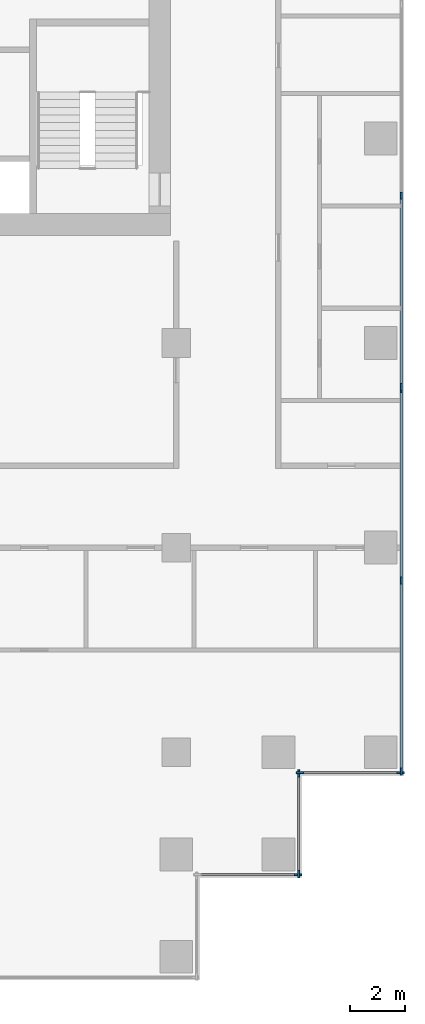
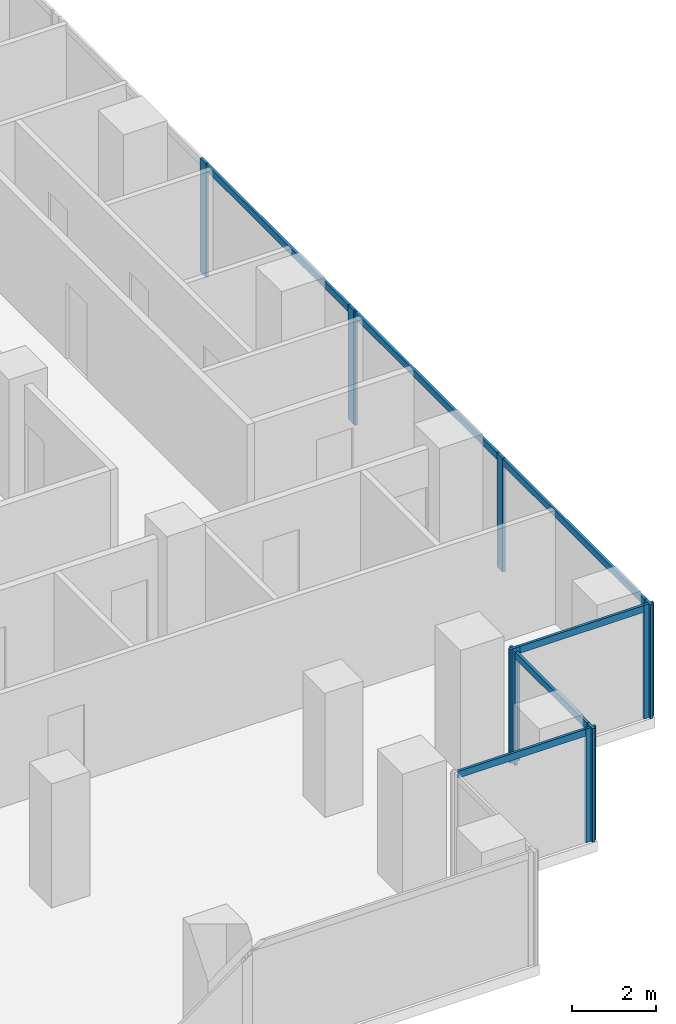
# One storey, part 3 of 10: 16 members, 5 elements without a shape of their own.
"""IFC4 building model written with IfcOpenShell, lengths in metres."""

from ifc_helpers import new_model, si_unit, direction, frame, origin, origin_2d, place, context, subcontext, project, spatial, rectangle, extrude, material, material_profile, profile_set, type_object, element, aggregate, save


model = new_model("IFC4")

# Units and contexts
model_context = context("Model", 3, precision=1e-05, world=origin(), true_north=direction((0.0, 1.0)))
body_context = subcontext(model_context, "Body", "Model", "MODEL_VIEW")
ifc_project = project(units=[si_unit("LENGTHUNIT", "METRE"), si_unit("AREAUNIT", "SQUARE_METRE"), si_unit("VOLUMEUNIT", "CUBIC_METRE"), si_unit("PLANEANGLEUNIT", "RADIAN"), si_unit("MASSUNIT", "GRAM", prefix="KILO")], contexts=[model_context])

# Site, building, storey
site_placement = place(None, origin())
site = spatial("IfcSite", under=ifc_project, at=site_placement, CompositionType="ELEMENT")
building_placement = place(site_placement, origin())
building = spatial("IfcBuilding", under=site, at=building_placement, Name="Pilkhan Gate Tower", CompositionType="ELEMENT")
storey_placement = place(building_placement, frame((0.0, 0.0, 158.5)))
storey = spatial("IfcBuildingStorey", under=building, at=storey_placement, Name="L40", CompositionType="ELEMENT", Elevation=158.5)

# Curtain wall, members
ifc_material_1 = material(Name="Pale anodised aluminium, clear low-iron double glazing", Category="aluminium")
curtain_wall_type = type_object("IfcCurtainWallType", Name="Office unitised curtain wall CW-O1", PredefinedType="USERDEFINED", material=ifc_material_1)
curtain_wall_1_placement = place(storey_placement, origin())
curtain_wall_1 = element("IfcCurtainWall", 1, at=curtain_wall_1_placement, inside=storey, type_object=curtain_wall_type, Name="Office unitised curtain wall CW-O1 L40 E", ObjectType="UNITISED CURTAIN WALL", PredefinedType="USERDEFINED")
ifc_material_2 = material(Name="Pale anodised aluminium", Category="aluminium")
ifc_material_profile_1 = material_profile(ifc_material_2, rectangle(XDim=0.070068359375, YDim=0.27490234375, at=origin_2d()), Name="Mullion 275x70")
ifc_profile_set_1 = profile_set([ifc_material_profile_1], Name="Pale anodised aluminium")
member_type_1 = type_object("IfcMemberType", Name="Mullion CW-O1 275x70", PredefinedType="MULLION", material=ifc_profile_set_1)
member_1_placement = place(storey_placement, frame((98.25, 51.784912109375, 0.0), z_axis=(0.0, 0.0, 1.0), x_axis=(-1.0, 0.0, 0.0)))
member_1 = element("IfcMember", 2, at=member_1_placement, type_object=member_type_1, Name="CW-O1 mullion 1", PredefinedType="MULLION", context=body_context, shape_type="SweptSolid", body=[
    extrude(rectangle(XDim=0.070068359375, YDim=0.27490234375, at=origin_2d()), origin(), (0.0, 0.0, 1.0), 3.300048828125),
])
member_2_placement = place(storey_placement, frame((98.25, 58.800048828125, 0.0), z_axis=(0.0, 0.0, 1.0), x_axis=(-1.0, 0.0, 0.0)))
member_2 = element("IfcMember", 3, at=member_2_placement, type_object=member_type_1, Name="CW-O1 mullion 2", PredefinedType="MULLION", context=body_context, shape_type="SweptSolid", body=[
    extrude(rectangle(XDim=0.070068359375, YDim=0.27490234375, at=origin_2d()), origin(), (0.0, 0.0, 1.0), 3.300048828125),
])
member_3_placement = place(storey_placement, frame((98.25, 65.81494140625, 0.0), z_axis=(0.0, 0.0, 1.0), x_axis=(-1.0, 0.0, 0.0)))
member_3 = element("IfcMember", 4, at=member_3_placement, type_object=member_type_1, Name="CW-O1 mullion 3", PredefinedType="MULLION", context=body_context, shape_type="SweptSolid", body=[
    extrude(rectangle(XDim=0.070068359375, YDim=0.27490234375, at=origin_2d()), origin(), (0.0, 0.0, 1.0), 3.300048828125),
])

curtain_wall_2_placement = place(storey_placement, origin())
curtain_wall_2 = element("IfcCurtainWall", 5, at=curtain_wall_2_placement, inside=storey, type_object=curtain_wall_type, Name="Office unitised curtain wall CW-O1 L40 E", ObjectType="UNITISED CURTAIN WALL", PredefinedType="USERDEFINED")
member_4_placement = place(storey_placement, frame((98.25, 65.885009765625, 0.0), z_axis=(0.0, 0.0, 1.0), x_axis=(-1.0, 0.0, 0.0)))
member_4 = element("IfcMember", 6, at=member_4_placement, type_object=member_type_1, Name="CW-O1 mullion 1", PredefinedType="MULLION", context=body_context, shape_type="SweptSolid", body=[
    extrude(rectangle(XDim=0.070068359375, YDim=0.27490234375, at=origin_2d()), origin(), (0.0, 0.0, 1.0), 3.300048828125),
])
member_5_placement = place(storey_placement, frame((98.25, 72.89990234375, 0.0), z_axis=(0.0, 0.0, 1.0), x_axis=(-1.0, 0.0, 0.0)))
member_5 = element("IfcMember", 7, at=member_5_placement, type_object=member_type_1, Name="CW-O1 mullion 2", PredefinedType="MULLION", context=body_context, shape_type="SweptSolid", body=[
    extrude(rectangle(XDim=0.070068359375, YDim=0.27490234375, at=origin_2d()), origin(), (0.0, 0.0, 1.0), 3.300048828125),
])

# Curtain wall, member
curtain_wall_3_placement = place(storey_placement, origin())
curtain_wall_3 = element("IfcCurtainWall", 8, at=curtain_wall_3_placement, inside=storey, type_object=curtain_wall_type, Name="Office unitised curtain wall CW-O1 L40 S", ObjectType="UNITISED CURTAIN WALL", PredefinedType="USERDEFINED")
member_6_placement = place(storey_placement, frame((94.465087890625, 48.0, 0.0), z_axis=(0.0, 0.0, 1.0), x_axis=(0.0, 1.0, 0.0)))
member_6 = element("IfcMember", 9, at=member_6_placement, type_object=member_type_1, Name="CW-O1 mullion 2", PredefinedType="MULLION", context=body_context, shape_type="SweptSolid", body=[
    extrude(rectangle(XDim=0.070068359375, YDim=0.27490234375, at=origin_2d()), origin(), (0.0, 0.0, 1.0), 3.300048828125),
])

# Curtain wall, members
curtain_wall_4_placement = place(storey_placement, origin())
curtain_wall_4 = element("IfcCurtainWall", 10, at=curtain_wall_4_placement, inside=storey, type_object=curtain_wall_type, Name="Office unitised curtain wall CW-O1 L40 E", ObjectType="UNITISED CURTAIN WALL", PredefinedType="USERDEFINED")
member_7_placement = place(storey_placement, frame((94.5, 48.034912109375, 0.0), z_axis=(0.0, 0.0, 1.0), x_axis=(-1.0, 0.0, 0.0)))
member_7 = element("IfcMember", 11, at=member_7_placement, type_object=member_type_1, Name="CW-O1 mullion 1", PredefinedType="MULLION", context=body_context, shape_type="SweptSolid", body=[
    extrude(rectangle(XDim=0.070068359375, YDim=0.27490234375, at=origin_2d()), origin(), (0.0, 0.0, 1.0), 3.300048828125),
])
member_8_placement = place(storey_placement, frame((94.5, 51.715087890625, 0.0), z_axis=(0.0, 0.0, 1.0), x_axis=(-1.0, 0.0, 0.0)))
member_8 = element("IfcMember", 12, at=member_8_placement, type_object=member_type_1, Name="CW-O1 mullion 2", PredefinedType="MULLION", context=body_context, shape_type="SweptSolid", body=[
    extrude(rectangle(XDim=0.070068359375, YDim=0.27490234375, at=origin_2d()), origin(), (0.0, 0.0, 1.0), 3.300048828125),
])

curtain_wall_5_placement = place(storey_placement, origin())
curtain_wall_5 = element("IfcCurtainWall", 13, at=curtain_wall_5_placement, inside=storey, type_object=curtain_wall_type, Name="Office unitised curtain wall CW-O1 L40 S", ObjectType="UNITISED CURTAIN WALL", PredefinedType="USERDEFINED")
member_9_placement = place(storey_placement, frame((94.534912109375, 51.75, 0.0), z_axis=(0.0, 0.0, 1.0), x_axis=(0.0, 1.0, 0.0)))
member_9 = element("IfcMember", 14, at=member_9_placement, type_object=member_type_1, Name="CW-O1 mullion 1", PredefinedType="MULLION", context=body_context, shape_type="SweptSolid", body=[
    extrude(rectangle(XDim=0.070068359375, YDim=0.27490234375, at=origin_2d()), origin(), (0.0, 0.0, 1.0), 3.300048828125),
])
member_10_placement = place(storey_placement, frame((98.215087890625, 51.75, 0.0), z_axis=(0.0, 0.0, 1.0), x_axis=(0.0, 1.0, 0.0)))
member_10 = element("IfcMember", 15, at=member_10_placement, type_object=member_type_1, Name="CW-O1 mullion 2", PredefinedType="MULLION", context=body_context, shape_type="SweptSolid", body=[
    extrude(rectangle(XDim=0.070068359375, YDim=0.27490234375, at=origin_2d()), origin(), (0.0, 0.0, 1.0), 3.300048828125),
])

# Member
ifc_material_profile_2 = material_profile(ifc_material_2, rectangle(XDim=0.070068359375, YDim=0.199951171875, at=origin_2d()), Name="Transom 200x70")
ifc_profile_set_2 = profile_set([ifc_material_profile_2], Name="Pale anodised aluminium")
member_type_2 = type_object("IfcMemberType", Name="Transom CW-O1 200x70", PredefinedType="USERDEFINED", material=ifc_profile_set_2)
member_11_placement = place(storey_placement, frame((98.25, 51.820068359375, 3.199951171875), z_axis=(0.0, 1.0, 0.0), x_axis=(-1.0, 0.0, 0.0)))
member_11 = element("IfcMember", 16, at=member_11_placement, type_object=member_type_2, Name="CW-O1 transom 1", ObjectType="TRANSOM", PredefinedType="USERDEFINED", context=body_context, shape_type="SweptSolid", body=[
    extrude(rectangle(XDim=0.070068359375, YDim=0.199951171875, at=origin_2d()), origin(), (0.0, 0.0, 1.0), 6.94482421875),
])

member_12_placement = place(storey_placement, frame((98.25, 58.8349609375, 3.199951171875), z_axis=(0.0, 1.0, 0.0), x_axis=(-1.0, 0.0, 0.0)))
member_12 = element("IfcMember", 17, at=member_12_placement, type_object=member_type_2, Name="CW-O1 transom 2", ObjectType="TRANSOM", PredefinedType="USERDEFINED", context=body_context, shape_type="SweptSolid", body=[
    extrude(rectangle(XDim=0.070068359375, YDim=0.199951171875, at=origin_2d()), origin(), (0.0, 0.0, 1.0), 6.945068359375),
])

aggregate(curtain_wall_1, [member_1, member_2, member_3, member_11, member_12])

member_13_placement = place(storey_placement, frame((98.25, 65.919921875, 3.199951171875), z_axis=(0.0, 1.0, 0.0), x_axis=(-1.0, 0.0, 0.0)))
member_13 = element("IfcMember", 18, at=member_13_placement, type_object=member_type_2, Name="CW-O1 transom 1", ObjectType="TRANSOM", PredefinedType="USERDEFINED", context=body_context, shape_type="SweptSolid", body=[
    extrude(rectangle(XDim=0.070068359375, YDim=0.199951171875, at=origin_2d()), origin(), (0.0, 0.0, 1.0), 6.945068359375),
])

aggregate(curtain_wall_2, [member_4, member_5, member_13])

member_14_placement = place(storey_placement, frame((90.820068359375, 48.0, 3.199951171875), z_axis=(1.0, 0.0, 0.0), x_axis=(0.0, 1.0, 0.0)))
member_14 = element("IfcMember", 19, at=member_14_placement, type_object=member_type_2, Name="CW-O1 transom 1", ObjectType="TRANSOM", PredefinedType="USERDEFINED", context=body_context, shape_type="SweptSolid", body=[
    extrude(rectangle(XDim=0.070068359375, YDim=0.199951171875, at=origin_2d()), origin(), (0.0, 0.0, 1.0), 3.60986328125),
])

aggregate(curtain_wall_3, [member_6, member_14])

member_15_placement = place(storey_placement, frame((94.5, 48.070068359375, 3.199951171875), z_axis=(0.0, 1.0, 0.0), x_axis=(-1.0, 0.0, 0.0)))
member_15 = element("IfcMember", 20, at=member_15_placement, type_object=member_type_2, Name="CW-O1 transom 1", ObjectType="TRANSOM", PredefinedType="USERDEFINED", context=body_context, shape_type="SweptSolid", body=[
    extrude(rectangle(XDim=0.070068359375, YDim=0.199951171875, at=origin_2d()), origin(), (0.0, 0.0, 1.0), 3.60986328125),
])

aggregate(curtain_wall_4, [member_7, member_8, member_15])

member_16_placement = place(storey_placement, frame((94.570068359375, 51.75, 3.199951171875), z_axis=(1.0, 0.0, 0.0), x_axis=(0.0, 1.0, 0.0)))
member_16 = element("IfcMember", 21, at=member_16_placement, type_object=member_type_2, Name="CW-O1 transom 1", ObjectType="TRANSOM", PredefinedType="USERDEFINED", context=body_context, shape_type="SweptSolid", body=[
    extrude(rectangle(XDim=0.070068359375, YDim=0.199951171875, at=origin_2d()), origin(), (0.0, 0.0, 1.0), 3.60986328125),
])

aggregate(curtain_wall_5, [member_9, member_10, member_16])

save(model, "model.ifc")
